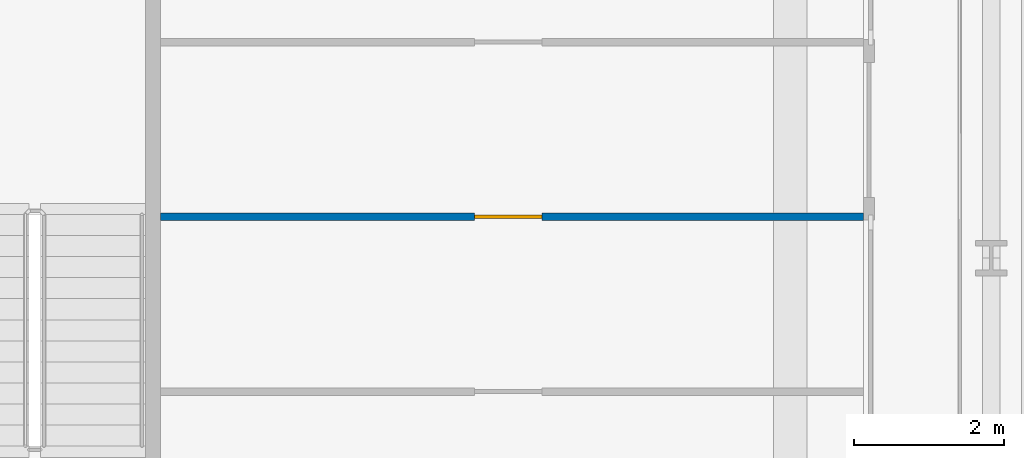
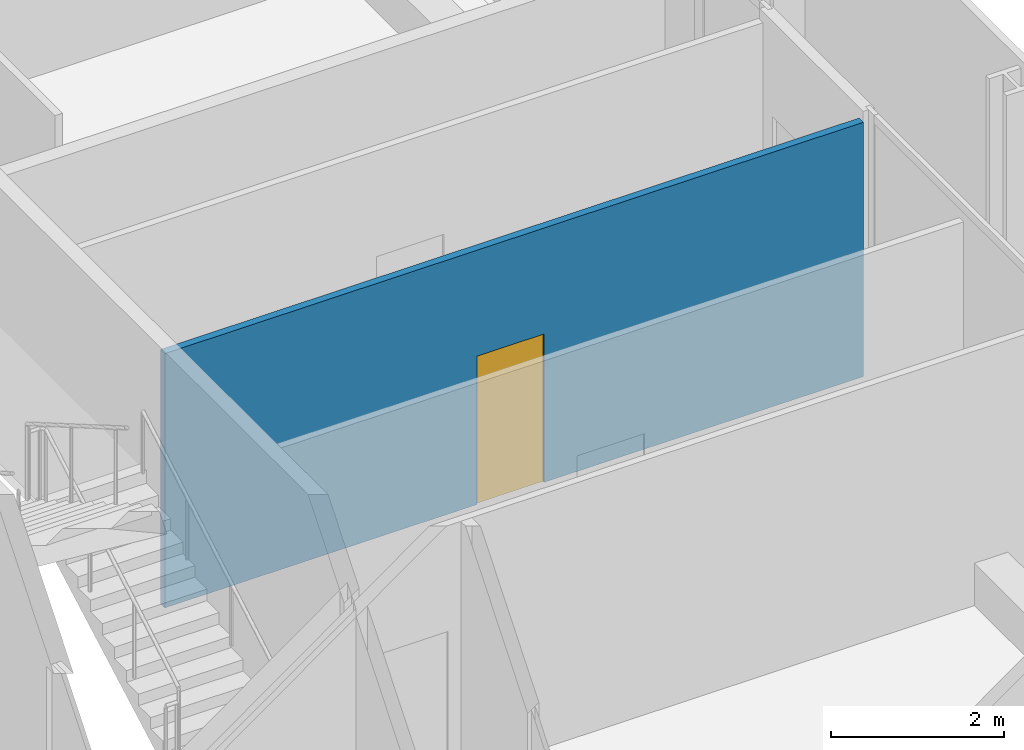
# One storey, part 19 of 29: 1 door, 1 wall, 1 opening.
"""IFC4 building model written with IfcOpenShell, lengths in metres."""

from ifc_helpers import new_model, si_unit, direction, frame, frame_2d, origin, place, context, subcontext, project, spatial, rectangle, extrude, source, transform, mapped, material, layer, layer_set, type_object, element, fill, save


model = new_model("IFC4")

# Units and contexts
model_context = context("Model", 3, precision=1e-05, world=origin(), true_north=direction((0.0, 1.0)))
body_context = subcontext(model_context, "Body", "Model", "MODEL_VIEW")
ifc_project = project(units=[si_unit("LENGTHUNIT", "METRE"), si_unit("AREAUNIT", "SQUARE_METRE"), si_unit("VOLUMEUNIT", "CUBIC_METRE"), si_unit("PLANEANGLEUNIT", "RADIAN"), si_unit("MASSUNIT", "GRAM", prefix="KILO")], contexts=[model_context])

# Site, building, storey
site_placement = place(None, origin())
site = spatial("IfcSite", under=ifc_project, at=site_placement, CompositionType="ELEMENT")
building_placement = place(site_placement, origin())
building = spatial("IfcBuilding", under=site, at=building_placement, Name="Kheshtan School and Residences Tower", CompositionType="ELEMENT")
storey_placement = place(building_placement, frame((0.0, 0.0, 65.60009765625)))
storey = spatial("IfcBuildingStorey", under=building, at=storey_placement, Name="L15", CompositionType="ELEMENT", Elevation=65.60009765625)

# Wall, opening, door
ifc_material_1 = material(Name="Gypsum board on steel studs", Category="steel")
ifc_layer = layer(ifc_material_1, 0.10009765625)
ifc_layer_set = layer_set([ifc_layer], Name="Gypsum partition 100")
wall_type = type_object("IfcWallType", Name="Gypsum partition 100", PredefinedType="PARTITIONING", material=ifc_layer_set)
wall_placement = place(storey_placement, frame((36.549072265625, 83.949951171875, 0.0), z_axis=(0.0, 0.0, 1.0), x_axis=(1.0, 0.0, 0.0)))
wall = element("IfcWall", 1, at=wall_placement, inside=storey, type_object=wall_type, Name="Partition L15-025", PredefinedType="PARTITIONING", context=body_context, shape_type="SweptSolid", body=[
    extrude(rectangle(XDim=9.350830078125, YDim=0.10009765625, at=frame_2d((4.67529296875, 0.0))), origin(), (0.0, 0.0, 1.0), 3.599853515625),
])
opening_placement = place(wall_placement, frame((4.176025390625, 0.0, 0.0)))
opening = element("IfcOpeningElement", 2, at=opening_placement, cuts=wall, Name="Opening D14-049", PredefinedType="OPENING", context=body_context, shape_type="SweptSolid", body=[
    extrude(rectangle(XDim=0.89990234375, YDim=2.10009765625, at=frame_2d((0.449951171875, 1.050048828125))), frame((0.0, 0.06005859375, 0.0), z_axis=(0.0, -1.0, 0.0), x_axis=(1.0, 0.0, 0.0)), (0.0, 0.0, 1.0), 0.1201171875),
])
ifc_material_2 = material(Name="Veneered timber door leaf", Category="wood")
door_type = type_object("IfcDoorType", Name="Door 900 x 2100", OperationType="SINGLE_SWING_LEFT", PredefinedType="DOOR", material=ifc_material_2)
shared_shape = source(origin(), body_context, "Body", "SweptSolid", [
    extrude(rectangle(XDim=0.89990234375, YDim=2.10009765625, at=frame_2d((0.449951171875, 1.050048828125))), frame((0.0, 0.02490234375, 0.0), z_axis=(0.0, -1.0, 0.0), x_axis=(1.0, 0.0, 0.0)), (0.0, 0.0, 1.0), 0.050048828125),
])
door_placement = place(opening_placement, origin())
door = element("IfcDoor", 3, at=door_placement, inside=storey, type_object=door_type, Name="Door D14-049", OperationType="SINGLE_SWING_RIGHT", OverallHeight=2.10009765625, OverallWidth=0.89990234375, PredefinedType="DOOR", context=body_context, shape_type="MappedRepresentation", body=[
    mapped(shared_shape, transform((0.0, 0.0, 0.0), x_axis=(1.0, 0.0, 0.0), y_axis=(0.0, 1.0, 0.0), z_axis=(0.0, 0.0, 1.0), scale=1.0)),
])
fill(opening, door)

save(model, "model.ifc")
